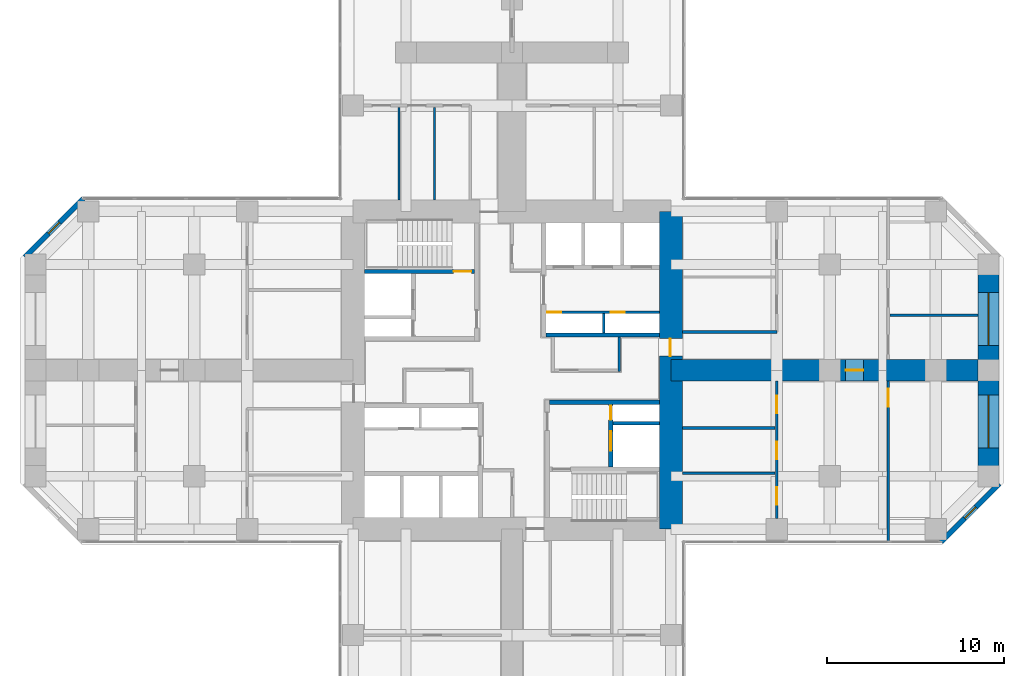
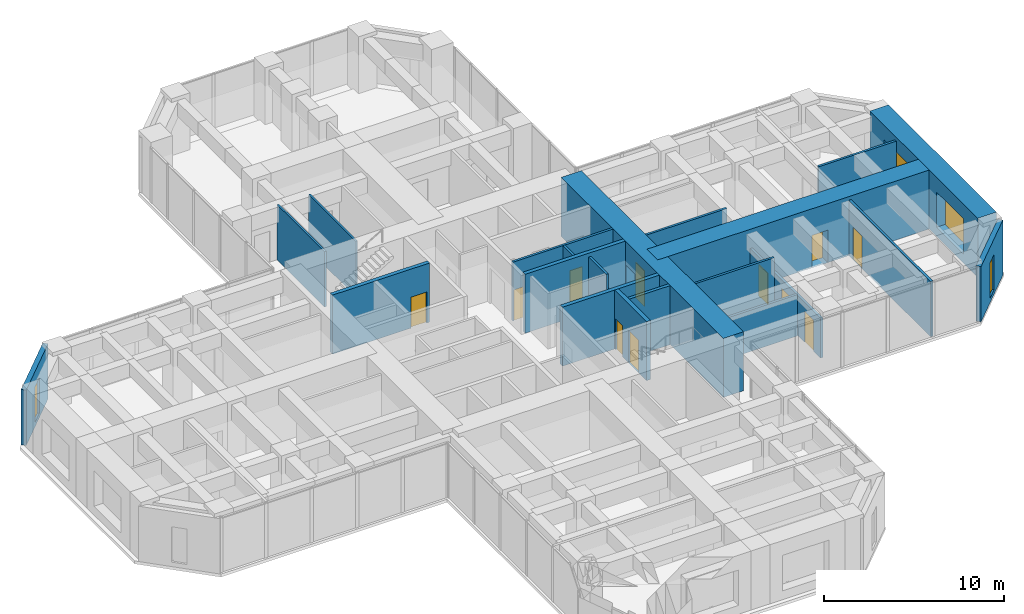
# One storey, part 10 of 13: 21 walls, 11 doors, 4 windows, 15 openings.
"""IFC4 building model written with IfcOpenShell, lengths in metres."""

from ifc_helpers import new_model, si_unit, direction, frame, frame_2d, origin, place, context, subcontext, project, spatial, rectangle, hollow_rectangle, extrude, material, layer, layer_set, constituent, constituent_set, type_object, element, fill, save


model = new_model("IFC4")

# Units and contexts
model_context = context("Model", 3, precision=1e-05, world=origin(), true_north=direction((0.0, 1.0)))
body_context = subcontext(model_context, "Body", "Model", "MODEL_VIEW")
ifc_project = project(units=[si_unit("LENGTHUNIT", "METRE"), si_unit("AREAUNIT", "SQUARE_METRE"), si_unit("VOLUMEUNIT", "CUBIC_METRE"), si_unit("PLANEANGLEUNIT", "RADIAN"), si_unit("MASSUNIT", "GRAM", prefix="KILO")], contexts=[model_context])

# Site, building, storey
site_placement = place(None, origin())
site = spatial("IfcSite", under=ifc_project, at=site_placement, CompositionType="ELEMENT")
building_placement = place(site_placement, origin())
building = spatial("IfcBuilding", under=site, at=building_placement, Name="Torre Cruceta", CompositionType="ELEMENT")
storey_placement = place(building_placement, frame((0.0, 0.0, 91.5)))
storey = spatial("IfcBuildingStorey", under=building, at=storey_placement, Name="L22", CompositionType="ELEMENT", Elevation=91.5)

# Wall
ifc_material_1 = material(Name="Concrete G60 (fck 60 MPa)", Category="concrete")
ifc_layer_1 = layer(ifc_material_1, 0.25)
ifc_layer_set_1 = layer_set([ifc_layer_1], Name="Concrete G60 (fck 60 MPa)")
wall_type_1 = type_object("IfcWallType", Name="CORE INNER WALL 250 G60", PredefinedType="SHEAR", material=ifc_layer_set_1)
wall_1_placement = place(storey_placement, frame((1.925048828125, 2.0, 0.0), z_axis=(0.0, 0.0, 1.0), x_axis=(1.0, 0.0, 0.0)))
element("IfcWall", 1, at=wall_1_placement, inside=storey, type_object=wall_type_1, Name="CW4 L22 NE-CV", PredefinedType="SHEAR", context=body_context, shape_type="SweptSolid", body=[
    extrude(rectangle(XDim=6.425048828125, YDim=0.25, at=frame_2d((3.21240234375, 0.0))), origin(), (0.0, 0.0, 1.0), 4.0),
])

# Wall, opening, door
wall_2_placement = place(storey_placement, frame((-2.125, 5.60009765625, 0.0), z_axis=(0.0, 0.0, 1.0), x_axis=(-1.0, 0.0, 0.0)))
wall_2 = element("IfcWall", 2, at=wall_2_placement, inside=storey, type_object=wall_type_1, Name="CW4 L22 NW-SV", PredefinedType="SHEAR", context=body_context, shape_type="SweptSolid", body=[
    extrude(rectangle(XDim=6.22509765625, YDim=0.25, at=frame_2d((3.112548828125, 0.0))), origin(), (0.0, 0.0, 1.0), 4.0),
])
opening_1_placement = place(wall_2_placement, frame((0.175048828125, 0.0, 0.0)))
opening_1 = element("IfcOpeningElement", 3, at=opening_1_placement, cuts=wall_2, Name="Opening D3", PredefinedType="OPENING", context=body_context, shape_type="SweptSolid", body=[
    extrude(rectangle(XDim=1.0, YDim=2.10009765625, at=frame_2d((0.5, 1.050048828125))), frame((0.0, 0.135009765625, 0.0), z_axis=(0.0, -1.0, 0.0), x_axis=(1.0, 0.0, 0.0)), (0.0, 0.0, 1.0), 0.27001953125),
])
ifc_material_2 = material(Name="Steel DX51D", Category="steel")
ifc_constituent_1 = constituent(ifc_material_2, Name="Leaf and frame")
ifc_material_3 = material(Name="Polyester powder coating", Category="paint")
ifc_constituent_2 = constituent(ifc_material_3, Name="Finish")
ifc_constituent_set_1 = constituent_set(constituents=[ifc_constituent_1, ifc_constituent_2], Name="Steel fire door")
door_type_1 = type_object("IfcDoorType", Name="FIRE DOOR 1000X2100", OperationType="SINGLE_SWING_LEFT", PredefinedType="DOOR", material=ifc_constituent_set_1)
door_1_placement = place(opening_1_placement, frame((1.0, 0.0, 0.0), z_axis=(0.0, 0.0, 1.0), x_axis=(-1.0, 0.0, 0.0)))
door_1 = element("IfcDoor", 4, at=door_1_placement, inside=storey, type_object=door_type_1, Name="D3 L22 NW-STAIR", OperationType="SINGLE_SWING_RIGHT", OverallHeight=2.10009765625, OverallWidth=1.0, PredefinedType="DOOR", context=body_context, shape_type="SweptSolid", body=[
    extrude(rectangle(XDim=1.0, YDim=2.10009765625, at=frame_2d((0.5, 1.050048828125))), frame((0.0, 0.025146484375, 0.0), z_axis=(0.0, -1.0, 0.0), x_axis=(1.0, 0.0, 0.0)), (0.0, 0.0, 1.0), 0.050048828125),
])
fill(opening_1, door_1)

# Wall
wall_3_placement = place(storey_placement, frame((2.125, -1.800048828125, 0.0), z_axis=(0.0, 0.0, 1.0), x_axis=(1.0, 0.0, 0.0)))
element("IfcWall", 5, at=wall_3_placement, inside=storey, type_object=wall_type_1, Name="CW4 L22 SE-CV", PredefinedType="SHEAR", context=body_context, shape_type="SweptSolid", body=[
    extrude(rectangle(XDim=6.22509765625, YDim=0.25, at=frame_2d((3.112548828125, 0.0))), origin(), (0.0, 0.0, 1.0), 4.0),
])

# Wall, openings, doors
wall_4_placement = place(storey_placement, frame((5.60009765625, -1.925048828125, 0.0), z_axis=(0.0, 0.0, 1.0), x_axis=(0.0, -1.0, 0.0)))
wall_4 = element("IfcWall", 6, at=wall_4_placement, inside=storey, type_object=wall_type_1, Name="CW4 L22 SE-FU", PredefinedType="SHEAR", context=body_context, shape_type="SweptSolid", body=[
    extrude(rectangle(XDim=3.550048828125, YDim=0.25, at=frame_2d((1.77490234375, 0.0))), origin(), (0.0, 0.0, 1.0), 4.0),
])
opening_2_placement = place(wall_4_placement, frame((1.52490234375, 0.0, 0.0)))
opening_2 = element("IfcOpeningElement", 7, at=opening_2_placement, cuts=wall_4, Name="Opening LD1", PredefinedType="OPENING", context=body_context, shape_type="SweptSolid", body=[
    extrude(rectangle(XDim=1.10009765625, YDim=2.199951171875, at=frame_2d((0.550048828125, 1.10009765625))), frame((0.0, 0.135009765625, 0.0), z_axis=(0.0, -1.0, 0.0), x_axis=(1.0, 0.0, 0.0)), (0.0, 0.0, 1.0), 0.27001953125),
])
opening_3_placement = place(wall_4_placement, frame((0.074951171875, 0.0, 0.0)))
opening_3 = element("IfcOpeningElement", 8, at=opening_3_placement, cuts=wall_4, Name="Opening D5", PredefinedType="OPENING", context=body_context, shape_type="SweptSolid", body=[
    extrude(rectangle(XDim=0.800048828125, YDim=2.10009765625, at=frame_2d((0.39990234375, 1.050048828125))), frame((0.0, 0.135009765625, 0.0), z_axis=(0.0, -1.0, 0.0), x_axis=(1.0, 0.0, 0.0)), (0.0, 0.0, 1.0), 0.27001953125),
])
ifc_material_4 = material(Name="Stainless steel 1.4401", Category="steel")
door_type_2 = type_object("IfcDoorType", Name="LIFT LANDING DOOR 1100X2200", OperationType="DOUBLE_DOOR_SLIDING", PredefinedType="DOOR", material=ifc_material_4)
door_2_placement = place(opening_2_placement, origin())
door_2 = element("IfcDoor", 9, at=door_2_placement, inside=storey, type_object=door_type_2, Name="Lift landing door FL2", OperationType="DOUBLE_DOOR_SLIDING", OverallHeight=2.199951171875, OverallWidth=1.10009765625, PredefinedType="DOOR", context=body_context, shape_type="SweptSolid", body=[
    extrude(rectangle(XDim=1.10009765625, YDim=2.199951171875, at=frame_2d((0.550048828125, 1.10009765625))), frame((0.0, 0.02490234375, 0.0), z_axis=(0.0, -1.0, 0.0), x_axis=(1.0, 0.0, 0.0)), (0.0, 0.0, 1.0), 0.050048828125),
])
fill(opening_2, door_2)
ifc_material_5 = material(Name="Steel DX51D", Category="steel")
ifc_constituent_3 = constituent(ifc_material_5, Name="Leaf and frame")
ifc_material_6 = material(Name="Polyester powder coating", Category="paint")
ifc_constituent_4 = constituent(ifc_material_6, Name="Finish")
ifc_constituent_set_2 = constituent_set(constituents=[ifc_constituent_3, ifc_constituent_4], Name="Steel fire door")
door_type_3 = type_object("IfcDoorType", Name="RISER ACCESS DOOR 800X2100", OperationType="SINGLE_SWING_LEFT", PredefinedType="DOOR", material=ifc_constituent_set_2)
door_3_placement = place(opening_3_placement, origin())
door_3 = element("IfcDoor", 10, at=door_3_placement, inside=storey, type_object=door_type_3, Name="D5 L22 SE-RISER", OperationType="SINGLE_SWING_LEFT", OverallHeight=2.10009765625, OverallWidth=0.800048828125, PredefinedType="DOOR", context=body_context, shape_type="SweptSolid", body=[
    extrude(rectangle(XDim=0.800048828125, YDim=2.10009765625, at=frame_2d((0.39990234375, 1.050048828125))), frame((0.0, 0.02490234375, 0.0), z_axis=(0.0, -1.0, 0.0), x_axis=(1.0, 0.0, 0.0)), (0.0, 0.0, 1.0), 0.050048828125),
])
fill(opening_3, door_3)

# Wall, opening, door
ifc_material_7 = material(Name="Concrete G60 (fck 60 MPa)", Category="concrete")
ifc_layer_2 = layer(ifc_material_7, 1.300048828125)
ifc_layer_set_2 = layer_set([ifc_layer_2], Name="Concrete G60 (fck 60 MPa)")
wall_type_2 = type_object("IfcWallType", Name="CORE WALL 1300 G60", PredefinedType="SHEAR", material=ifc_layer_set_2)
wall_5_placement = place(storey_placement, frame((9.0, -9.0, 0.0), z_axis=(0.0, 0.0, 1.0), x_axis=(0.0, 1.0, 0.0)))
wall_5 = element("IfcWall", 11, at=wall_5_placement, inside=storey, type_object=wall_type_2, Name="CW1 L22 CW-E", PredefinedType="SHEAR", context=body_context, shape_type="SweptSolid", body=[
    extrude(rectangle(XDim=18.0, YDim=1.300048828125, at=frame_2d((9.0, 0.0))), origin(), (0.0, 0.0, 1.0), 4.0),
])
opening_4_placement = place(wall_5_placement, frame((9.800048828125, 0.0, 0.0)))
opening_4 = element("IfcOpeningElement", 12, at=opening_4_placement, cuts=wall_5, Name="Opening D4", PredefinedType="OPENING", context=body_context, shape_type="SweptSolid", body=[
    extrude(rectangle(XDim=1.0, YDim=2.39990234375, at=frame_2d((0.5, 1.199951171875))), frame((0.0, 0.659912109375, 0.0), z_axis=(0.0, -1.0, 0.0), x_axis=(1.0, 0.0, 0.0)), (0.0, 0.0, 1.0), 1.320068359375),
])
ifc_material_8 = material(Name="Steel DX51D", Category="steel")
ifc_constituent_5 = constituent(ifc_material_8, Name="Leaf and frame")
ifc_material_9 = material(Name="Polyester powder coating", Category="paint")
ifc_constituent_6 = constituent(ifc_material_9, Name="Finish")
ifc_constituent_set_3 = constituent_set(constituents=[ifc_constituent_5, ifc_constituent_6], Name="Steel fire door")
door_type_4 = type_object("IfcDoorType", Name="CORE ARM DOOR 1000X2400", OperationType="SINGLE_SWING_RIGHT", PredefinedType="DOOR", material=ifc_constituent_set_3)
door_4_placement = place(opening_4_placement, frame((1.0, 0.0, 0.0), z_axis=(0.0, 0.0, 1.0), x_axis=(-1.0, 0.0, 0.0)))
door_4 = element("IfcDoor", 13, at=door_4_placement, inside=storey, type_object=door_type_4, Name="D4 L22 CW-E", OperationType="SINGLE_SWING_RIGHT", OverallHeight=2.39990234375, OverallWidth=1.0, PredefinedType="DOOR", context=body_context, shape_type="SweptSolid", body=[
    extrude(rectangle(XDim=1.0, YDim=2.39990234375, at=frame_2d((0.5, 1.199951171875))), frame((0.0, -0.005126953125, 0.0), z_axis=(0.0, -1.0, 0.0), x_axis=(1.0, 0.0, 0.0)), (0.0, 0.0, 1.0), 0.050048828125),
])
fill(opening_4, door_4)

# Wall, opening, window
ifc_material_10 = material(Name="Concrete G30 (fck 30 MPa)", Category="concrete")
ifc_layer_3 = layer(ifc_material_10, 0.300048828125)
ifc_layer_set_3 = layer_set([ifc_layer_3], Name="Concrete G30 (fck 30 MPa)")
wall_type_3 = type_object("IfcWallType", Name="EXPOSED CONCRETE FACADE WALL 300", PredefinedType="SOLIDWALL", material=ifc_layer_set_3)
wall_6_placement = place(storey_placement, frame((24.29833984375, -9.719970703125, 0.0), z_axis=(0.0, 0.0, 1.0), x_axis=(0.707106781187, 0.707106781187, 0.0)))
wall_6 = element("IfcWall", 14, at=wall_6_placement, inside=storey, type_object=wall_type_3, Name="EW1 facade wall L22 E chamfer 01", PredefinedType="SOLIDWALL", context=body_context, shape_type="SweptSolid", body=[
    extrude(rectangle(XDim=4.66943359375, YDim=0.300048828125, at=frame_2d((2.334716796875, 0.0))), origin(), (0.0, 0.0, 1.0), 3.75),
])
opening_5_placement = place(wall_6_placement, frame((1.884765625, 0.0, 0.300048828125)))
opening_5 = element("IfcOpeningElement", 15, at=opening_5_placement, cuts=wall_6, Name="Opening WN5", PredefinedType="OPENING", context=body_context, shape_type="SweptSolid", body=[
    extrude(rectangle(XDim=0.89990234375, YDim=2.39990234375, at=frame_2d((0.449951171875, 1.199951171875))), frame((0.0, 0.159912109375, 0.0), z_axis=(0.0, -1.0, 0.0), x_axis=(1.0, 0.0, 0.0)), (0.0, 0.0, 1.0), 0.320068359375),
])
ifc_material_11 = material(Name="Aluminium window frame", Category="aluminium")
ifc_constituent_7 = constituent(ifc_material_11, Name="Frame")
ifc_material_12 = material(Name="Laminated insulating glass unit, low-iron clear", Category="glass")
ifc_constituent_8 = constituent(ifc_material_12, Name="Glazing")
ifc_constituent_set_4 = constituent_set(constituents=[ifc_constituent_7, ifc_constituent_8], Name="Aluminium window")
window_type_1 = type_object("IfcWindowType", Name="CHAMFER SLOT WINDOW 900X2400", PartitioningType="SINGLE_PANEL", PredefinedType="WINDOW", material=ifc_constituent_set_4)
window_1_placement = place(opening_5_placement, origin())
window_1 = element("IfcWindow", 16, at=window_1_placement, inside=storey, type_object=window_type_1, Name="WN5 L22 E 1", OverallHeight=2.39990234375, OverallWidth=0.89990234375, PartitioningType="SINGLE_PANEL", PredefinedType="WINDOW", context=body_context, shape_type="SweptSolid", body=[
    extrude(hollow_rectangle(XDim=0.89990234375, YDim=2.39990234375, WallThickness=0.06005859375, at=frame_2d((0.449951171875, 1.199951171875))), frame((0.0, 0.030029296875, 0.0), z_axis=(0.0, -1.0, 0.0), x_axis=(1.0, 0.0, 0.0)), (0.0, 0.0, 1.0), 0.06005859375),
    extrude(rectangle(XDim=0.77880859375, YDim=2.27880859375, at=frame_2d((0.449951171875, 1.199951171875))), frame((0.0, 0.030029296875, 0.0), z_axis=(0.0, -1.0, 0.0), x_axis=(1.0, 0.0, 0.0)), (0.0, 0.0, 1.0), 0.06005859375),
])
fill(opening_5, window_1)

wall_7_placement = place(storey_placement, frame((-24.29833984375, 9.719970703125, 0.0), z_axis=(0.0, 0.0, 1.0), x_axis=(-0.707106781187, -0.707106781187, 0.0)))
wall_7 = element("IfcWall", 17, at=wall_7_placement, inside=storey, type_object=wall_type_3, Name="EW1 facade wall L22 W chamfer 11", PredefinedType="SOLIDWALL", context=body_context, shape_type="SweptSolid", body=[
    extrude(rectangle(XDim=4.66943359375, YDim=0.300048828125, at=frame_2d((2.334716796875, 0.0))), origin(), (0.0, 0.0, 1.0), 3.75),
])
opening_6_placement = place(wall_7_placement, frame((1.884765625, 0.0, 0.300048828125)))
opening_6 = element("IfcOpeningElement", 18, at=opening_6_placement, cuts=wall_7, Name="Opening WN5", PredefinedType="OPENING", context=body_context, shape_type="SweptSolid", body=[
    extrude(rectangle(XDim=0.89990234375, YDim=2.39990234375, at=frame_2d((0.449951171875, 1.199951171875))), frame((0.0, 0.159912109375, 0.0), z_axis=(0.0, -1.0, 0.0), x_axis=(1.0, 0.0, 0.0)), (0.0, 0.0, 1.0), 0.320068359375),
])
window_2_placement = place(opening_6_placement, origin())
window_2 = element("IfcWindow", 19, at=window_2_placement, inside=storey, type_object=window_type_1, Name="WN5 L22 W 1", OverallHeight=2.39990234375, OverallWidth=0.89990234375, PartitioningType="SINGLE_PANEL", PredefinedType="WINDOW", context=body_context, shape_type="SweptSolid", body=[
    extrude(hollow_rectangle(XDim=0.89990234375, YDim=2.39990234375, WallThickness=0.06005859375, at=frame_2d((0.449951171875, 1.199951171875))), frame((0.0, 0.030029296875, 0.0), z_axis=(0.0, -1.0, 0.0), x_axis=(1.0, 0.0, 0.0)), (0.0, 0.0, 1.0), 0.06005859375),
    extrude(rectangle(XDim=0.77880859375, YDim=2.27880859375, at=frame_2d((0.449951171875, 1.199951171875))), frame((0.0, 0.030029296875, 0.0), z_axis=(0.0, -1.0, 0.0), x_axis=(1.0, 0.0, 0.0)), (0.0, 0.0, 1.0), 0.06005859375),
])
fill(opening_6, window_2)

# Wall
ifc_material_13 = material(Name="Concrete G35 (fck 35 MPa)", Category="concrete")
ifc_layer_4 = layer(ifc_material_13, 0.199951171875)
ifc_layer_set_4 = layer_set([ifc_layer_4], Name="Concrete G35 (fck 35 MPa)")
wall_type_4 = type_object("IfcWallType", Name="LIFT SHAFT WALL 200", PredefinedType="PARTITIONING", material=ifc_layer_set_4)
wall_8_placement = place(storey_placement, frame((5.72509765625, -3.0, 0.0), z_axis=(0.0, 0.0, 1.0), x_axis=(1.0, 0.0, 0.0)))
element("IfcWall", 20, at=wall_8_placement, inside=storey, type_object=wall_type_4, Name="SW1 L22 SE-FR", PredefinedType="PARTITIONING", context=body_context, shape_type="SweptSolid", body=[
    extrude(rectangle(XDim=2.625, YDim=0.199951171875, at=frame_2d((1.3125, 0.0))), origin(), (0.0, 0.0, 1.0), 4.0),
])

# Wall, openings, windows
ifc_material_14 = material(Name="Concrete G60 (fck 60 MPa)", Category="concrete")
ifc_layer_5 = layer(ifc_material_14, 1.199951171875)
ifc_layer_set_5 = layer_set([ifc_layer_5], Name="Concrete G60 (fck 60 MPa)")
wall_type_5 = type_object("IfcWallType", Name="NOSE WALL 1200 G60", PredefinedType="SHEAR", material=ifc_layer_set_5)
wall_9_placement = place(storey_placement, frame((27.0, -6.0, 0.0), z_axis=(0.0, 0.0, 1.0), x_axis=(0.0, 1.0, 0.0)))
wall_9 = element("IfcWall", 21, at=wall_9_placement, inside=storey, type_object=wall_type_5, Name="NW1 nose wall L22 E", PredefinedType="SHEAR", context=body_context, shape_type="SweptSolid", body=[
    extrude(rectangle(XDim=12.0, YDim=1.199951171875, at=frame_2d((6.0, 0.0))), origin(), (0.0, 0.0, 1.0), 4.0),
])
opening_7_placement = place(wall_9_placement, frame((1.60009765625, 0.0, 0.60009765625)))
opening_7 = element("IfcOpeningElement", 22, at=opening_7_placement, cuts=wall_9, Name="Opening WN6", PredefinedType="OPENING", context=body_context, shape_type="SweptSolid", body=[
    extrude(rectangle(XDim=3.0, YDim=2.39990234375, at=frame_2d((1.5, 1.199951171875))), frame((0.0, 0.60986328125, 0.0), z_axis=(0.0, -1.0, 0.0), x_axis=(1.0, 0.0, 0.0)), (0.0, 0.0, 1.0), 1.219970703125),
])
opening_8_placement = place(wall_9_placement, frame((7.39990234375, 0.0, 0.60009765625)))
opening_8 = element("IfcOpeningElement", 23, at=opening_8_placement, cuts=wall_9, Name="Opening WN6", PredefinedType="OPENING", context=body_context, shape_type="SweptSolid", body=[
    extrude(rectangle(XDim=3.0, YDim=2.39990234375, at=frame_2d((1.5, 1.199951171875))), frame((0.0, 0.60986328125, 0.0), z_axis=(0.0, -1.0, 0.0), x_axis=(1.0, 0.0, 0.0)), (0.0, 0.0, 1.0), 1.219970703125),
])
ifc_material_15 = material(Name="Aluminium window frame", Category="aluminium")
ifc_constituent_9 = constituent(ifc_material_15, Name="Frame")
ifc_material_16 = material(Name="Laminated insulating glass unit, low-iron clear", Category="glass")
ifc_constituent_10 = constituent(ifc_material_16, Name="Glazing")
ifc_constituent_set_5 = constituent_set(constituents=[ifc_constituent_9, ifc_constituent_10], Name="Aluminium window")
window_type_2 = type_object("IfcWindowType", Name="NOSE WALL WINDOW 3000X2400", PartitioningType="SINGLE_PANEL", PredefinedType="WINDOW", material=ifc_constituent_set_5)
window_3_placement = place(opening_7_placement, origin())
window_3 = element("IfcWindow", 24, at=window_3_placement, inside=storey, type_object=window_type_2, Name="WN6 L22 E 1", OverallHeight=2.39990234375, OverallWidth=3.0, PartitioningType="SINGLE_PANEL", PredefinedType="WINDOW", context=body_context, shape_type="SweptSolid", body=[
    extrude(hollow_rectangle(XDim=3.0, YDim=2.39990234375, WallThickness=0.06005859375, at=frame_2d((1.5, 1.199951171875))), frame((0.0, 0.030029296875, 0.0), z_axis=(0.0, -1.0, 0.0), x_axis=(1.0, 0.0, 0.0)), (0.0, 0.0, 1.0), 0.06005859375),
    extrude(rectangle(XDim=2.87890625, YDim=2.27880859375, at=frame_2d((1.5, 1.199951171875))), frame((0.0, 0.030029296875, 0.0), z_axis=(0.0, -1.0, 0.0), x_axis=(1.0, 0.0, 0.0)), (0.0, 0.0, 1.0), 0.06005859375),
])
fill(opening_7, window_3)
window_4_placement = place(opening_8_placement, origin())
window_4 = element("IfcWindow", 25, at=window_4_placement, inside=storey, type_object=window_type_2, Name="WN6 L22 E 2", OverallHeight=2.39990234375, OverallWidth=3.0, PartitioningType="SINGLE_PANEL", PredefinedType="WINDOW", context=body_context, shape_type="SweptSolid", body=[
    extrude(hollow_rectangle(XDim=3.0, YDim=2.39990234375, WallThickness=0.06005859375, at=frame_2d((1.5, 1.199951171875))), frame((0.0, 0.030029296875, 0.0), z_axis=(0.0, -1.0, 0.0), x_axis=(1.0, 0.0, 0.0)), (0.0, 0.0, 1.0), 0.06005859375),
    extrude(rectangle(XDim=2.87890625, YDim=2.27880859375, at=frame_2d((1.5, 1.199951171875))), frame((0.0, 0.030029296875, 0.0), z_axis=(0.0, -1.0, 0.0), x_axis=(1.0, 0.0, 0.0)), (0.0, 0.0, 1.0), 0.06005859375),
])
fill(opening_8, window_4)

# Walls
ifc_material_17 = material(Name="Plasterboard on steel studs", Category="steel")
ifc_layer_6 = layer(ifc_material_17, 0.14990234375)
ifc_layer_set_6 = layer_set([ifc_layer_6], Name="Plasterboard on steel studs")
wall_type_6 = type_object("IfcWallType", Name="PARTITION 150", PredefinedType="PARTITIONING", material=ifc_layer_set_6)
wall_10_placement = place(storey_placement, frame((6.074951171875, -0.074951171875, 0.0), z_axis=(0.0, 0.0, 1.0), x_axis=(0.0, 1.0, 0.0)))
element("IfcWall", 26, at=wall_10_placement, inside=storey, type_object=wall_type_6, Name="PT1 L22-CORE-LEGE-N-W3", PredefinedType="PARTITIONING", context=body_context, shape_type="SweptSolid", body=[
    extrude(rectangle(XDim=1.949951171875, YDim=0.14990234375, at=frame_2d((0.97509765625, 0.0))), origin(), (0.0, 0.0, 1.0), 3.75),
])
wall_11_placement = place(storey_placement, frame((9.64990234375, 2.175048828125, 0.0), z_axis=(0.0, 0.0, 1.0), x_axis=(1.0, 0.0, 0.0)))
element("IfcWall", 27, at=wall_11_placement, inside=storey, type_object=wall_type_6, Name="PT1 L22-E-BSL", PredefinedType="PARTITIONING", context=body_context, shape_type="SweptSolid", body=[
    extrude(rectangle(XDim=5.35009765625, YDim=0.14990234375, at=frame_2d((2.675048828125, 0.0))), origin(), (0.0, 0.0, 1.0), 3.75),
])

# Wall, openings, doors
wall_12_placement = place(storey_placement, frame((15.0, -8.39990234375, 0.0), z_axis=(0.0, 0.0, 1.0), x_axis=(0.0, 1.0, 0.0)))
wall_12 = element("IfcWall", 28, at=wall_12_placement, inside=storey, type_object=wall_type_6, Name="PT1 L22-E-BFR", PredefinedType="PARTITIONING", context=body_context, shape_type="SweptSolid", body=[
    extrude(rectangle(XDim=7.7998046875, YDim=0.14990234375, at=frame_2d((3.89990234375, 0.0))), origin(), (0.0, 0.0, 1.0), 2.699951171875),
])
opening_9_placement = place(wall_12_placement, frame((0.783203125, 0.0, 0.0)))
opening_9 = element("IfcOpeningElement", 29, at=opening_9_placement, cuts=wall_12, Name="Opening D3", PredefinedType="OPENING", context=body_context, shape_type="SweptSolid", body=[
    extrude(rectangle(XDim=1.0, YDim=2.10009765625, at=frame_2d((0.5, 1.050048828125))), frame((0.0, 0.0849609375, 0.0), z_axis=(0.0, -1.0, 0.0), x_axis=(1.0, 0.0, 0.0)), (0.0, 0.0, 1.0), 0.169921875),
])
opening_10_placement = place(wall_12_placement, frame((3.35009765625, 0.0, 0.0)))
opening_10 = element("IfcOpeningElement", 30, at=opening_10_placement, cuts=wall_12, Name="Opening D3", PredefinedType="OPENING", context=body_context, shape_type="SweptSolid", body=[
    extrude(rectangle(XDim=1.0, YDim=2.10009765625, at=frame_2d((0.5, 1.050048828125))), frame((0.0, 0.0849609375, 0.0), z_axis=(0.0, -1.0, 0.0), x_axis=(1.0, 0.0, 0.0)), (0.0, 0.0, 1.0), 0.169921875),
])
opening_11_placement = place(wall_12_placement, frame((5.966796875, 0.0, 0.0)))
opening_11 = element("IfcOpeningElement", 31, at=opening_11_placement, cuts=wall_12, Name="Opening D3", PredefinedType="OPENING", context=body_context, shape_type="SweptSolid", body=[
    extrude(rectangle(XDim=1.0, YDim=2.10009765625, at=frame_2d((0.5, 1.050048828125))), frame((0.0, 0.0849609375, 0.0), z_axis=(0.0, -1.0, 0.0), x_axis=(1.0, 0.0, 0.0)), (0.0, 0.0, 1.0), 0.169921875),
])
door_5_placement = place(opening_9_placement, origin())
door_5 = element("IfcDoor", 32, at=door_5_placement, inside=storey, type_object=door_type_1, Name="D3 L22-E-BFR-D1", OperationType="SINGLE_SWING_RIGHT", OverallHeight=2.10009765625, OverallWidth=1.0, PredefinedType="DOOR", context=body_context, shape_type="SweptSolid", body=[
    extrude(rectangle(XDim=1.0, YDim=2.10009765625, at=frame_2d((0.5, 1.050048828125))), frame((0.0, 0.02490234375, 0.0), z_axis=(0.0, -1.0, 0.0), x_axis=(1.0, 0.0, 0.0)), (0.0, 0.0, 1.0), 0.050048828125),
])
fill(opening_9, door_5)
door_6_placement = place(opening_10_placement, origin())
door_6 = element("IfcDoor", 33, at=door_6_placement, inside=storey, type_object=door_type_1, Name="D3 L22-E-BFR-D2", OperationType="SINGLE_SWING_LEFT", OverallHeight=2.10009765625, OverallWidth=1.0, PredefinedType="DOOR", context=body_context, shape_type="SweptSolid", body=[
    extrude(rectangle(XDim=1.0, YDim=2.10009765625, at=frame_2d((0.5, 1.050048828125))), frame((0.0, 0.02490234375, 0.0), z_axis=(0.0, -1.0, 0.0), x_axis=(1.0, 0.0, 0.0)), (0.0, 0.0, 1.0), 0.050048828125),
])
fill(opening_10, door_6)
door_7_placement = place(opening_11_placement, origin())
door_7 = element("IfcDoor", 34, at=door_7_placement, inside=storey, type_object=door_type_1, Name="D3 L22-E-BFR-D3", OperationType="SINGLE_SWING_LEFT", OverallHeight=2.10009765625, OverallWidth=1.0, PredefinedType="DOOR", context=body_context, shape_type="SweptSolid", body=[
    extrude(rectangle(XDim=1.0, YDim=2.10009765625, at=frame_2d((0.5, 1.050048828125))), frame((0.0, 0.02490234375, 0.0), z_axis=(0.0, -1.0, 0.0), x_axis=(1.0, 0.0, 0.0)), (0.0, 0.0, 1.0), 0.050048828125),
])
fill(opening_11, door_7)

# Walls
wall_13_placement = place(storey_placement, frame((9.64990234375, -3.2666015625, 0.0), z_axis=(0.0, 0.0, 1.0), x_axis=(1.0, 0.0, 0.0)))
element("IfcWall", 35, at=wall_13_placement, inside=storey, type_object=wall_type_6, Name="PT1 L22-E-BDR1", PredefinedType="PARTITIONING", context=body_context, shape_type="SweptSolid", body=[
    extrude(rectangle(XDim=5.25, YDim=0.14990234375, at=frame_2d((2.625, 0.0))), origin(), (0.0, 0.0, 1.0), 3.75),
])
wall_14_placement = place(storey_placement, frame((9.64990234375, -5.833251953125, 0.0), z_axis=(0.0, 0.0, 1.0), x_axis=(1.0, 0.0, 0.0)))
element("IfcWall", 36, at=wall_14_placement, inside=storey, type_object=wall_type_6, Name="PT1 L22-E-BDR2", PredefinedType="PARTITIONING", context=body_context, shape_type="SweptSolid", body=[
    extrude(rectangle(XDim=5.25, YDim=0.14990234375, at=frame_2d((2.625, 0.0))), origin(), (0.0, 0.0, 1.0), 2.800048828125),
])
wall_15_placement = place(storey_placement, frame((21.419921875, 3.117919921875, 0.0), z_axis=(0.0, 0.0, 1.0), x_axis=(1.0, 0.0, 0.0)))
element("IfcWall", 37, at=wall_15_placement, inside=storey, type_object=wall_type_6, Name="PT1 L22-E-TDL", PredefinedType="PARTITIONING", context=body_context, shape_type="SweptSolid", body=[
    extrude(rectangle(XDim=4.97998046875, YDim=0.14990234375, at=frame_2d((2.489990234375, 0.0))), origin(), (0.0, 0.0, 1.0), 3.75),
])

# Wall, opening, door
wall_16_placement = place(storey_placement, frame((21.320068359375, -9.679931640625, 0.0), z_axis=(0.0, 0.0, 1.0), x_axis=(0.0, 1.0, 0.0)))
wall_16 = element("IfcWall", 38, at=wall_16_placement, inside=storey, type_object=wall_type_6, Name="PT1 L22-E-TWR", PredefinedType="PARTITIONING", context=body_context, shape_type="SweptSolid", body=[
    extrude(rectangle(XDim=9.079833984375, YDim=0.14990234375, at=frame_2d((4.5400390625, 0.0))), origin(), (0.0, 0.0, 1.0), 3.75),
])
opening_12_placement = place(wall_16_placement, frame((7.6298828125, 0.0, 0.0)))
opening_12 = element("IfcOpeningElement", 39, at=opening_12_placement, cuts=wall_16, Name="Opening D14", PredefinedType="OPENING", context=body_context, shape_type="SweptSolid", body=[
    extrude(rectangle(XDim=1.0, YDim=2.199951171875, at=frame_2d((0.5, 1.10009765625))), frame((0.0, 0.0849609375, 0.0), z_axis=(0.0, -1.0, 0.0), x_axis=(1.0, 0.0, 0.0)), (0.0, 0.0, 1.0), 0.169921875),
])
ifc_material_18 = material(Name="Steel DX51D", Category="steel")
ifc_constituent_11 = constituent(ifc_material_18, Name="Leaf and frame")
ifc_material_19 = material(Name="Polyester powder coating", Category="paint")
ifc_constituent_12 = constituent(ifc_material_19, Name="Finish")
ifc_material_20 = material(Name="Fire-resisting glass", Category="glass")
ifc_constituent_13 = constituent(ifc_material_20, Name="Vision panel")
ifc_constituent_set_6 = constituent_set(constituents=[ifc_constituent_11, ifc_constituent_12, ifc_constituent_13], Name="Steel fire door with vision panel")
door_type_5 = type_object("IfcDoorType", Name="FIRE DOOR VISION PANEL 1000X2200", OperationType="SINGLE_SWING_RIGHT", PredefinedType="DOOR", material=ifc_constituent_set_6)
door_8_placement = place(opening_12_placement, frame((1.0, 0.0, 0.0), z_axis=(0.0, 0.0, 1.0), x_axis=(-1.0, 0.0, 0.0)))
door_8 = element("IfcDoor", 40, at=door_8_placement, inside=storey, type_object=door_type_5, Name="D14 L22-E-TWR-D1", OperationType="SINGLE_SWING_LEFT", OverallHeight=2.199951171875, OverallWidth=1.0, PredefinedType="DOOR", context=body_context, shape_type="SweptSolid", body=[
    extrude(rectangle(XDim=1.0, YDim=2.199951171875, at=frame_2d((0.5, 1.10009765625))), frame((0.0, 0.025146484375, 0.0), z_axis=(0.0, -1.0, 0.0), x_axis=(1.0, 0.0, 0.0)), (0.0, 0.0, 1.0), 0.050048828125),
])
fill(opening_12, door_8)

# Wall, openings, doors
ifc_material_21 = material(Name="Concrete block masonry", Category="masonry")
ifc_layer_7 = layer(ifc_material_21, 0.14990234375)
ifc_layer_set_7 = layer_set([ifc_layer_7], Name="Concrete block masonry")
wall_type_7 = type_object("IfcWallType", Name="RISER WALL 150", PredefinedType="PARTITIONING", material=ifc_layer_set_7)
wall_17_placement = place(storey_placement, frame((1.925048828125, 3.300048828125, 0.0), z_axis=(0.0, 0.0, 1.0), x_axis=(1.0, 0.0, 0.0)))
wall_17 = element("IfcWall", 41, at=wall_17_placement, inside=storey, type_object=wall_type_7, Name="SW7 L22 NE-RV", PredefinedType="PARTITIONING", context=body_context, shape_type="SweptSolid", body=[
    extrude(rectangle(XDim=6.425048828125, YDim=0.14990234375, at=frame_2d((3.21240234375, 0.0))), origin(), (0.0, 0.0, 1.0), 4.0),
])
opening_13_placement = place(wall_17_placement, frame((0.074951171875, 0.0, 0.0)))
opening_13 = element("IfcOpeningElement", 42, at=opening_13_placement, cuts=wall_17, Name="Opening D5", PredefinedType="OPENING", context=body_context, shape_type="SweptSolid", body=[
    extrude(rectangle(XDim=0.800048828125, YDim=2.10009765625, at=frame_2d((0.39990234375, 1.050048828125))), frame((0.0, 0.0849609375, 0.0), z_axis=(0.0, -1.0, 0.0), x_axis=(1.0, 0.0, 0.0)), (0.0, 0.0, 1.0), 0.169921875),
])
opening_14_placement = place(wall_17_placement, frame((3.675048828125, 0.0, 0.0)))
opening_14 = element("IfcOpeningElement", 43, at=opening_14_placement, cuts=wall_17, Name="Opening D5", PredefinedType="OPENING", context=body_context, shape_type="SweptSolid", body=[
    extrude(rectangle(XDim=0.800048828125, YDim=2.10009765625, at=frame_2d((0.39990234375, 1.050048828125))), frame((0.0, 0.0849609375, 0.0), z_axis=(0.0, -1.0, 0.0), x_axis=(1.0, 0.0, 0.0)), (0.0, 0.0, 1.0), 0.169921875),
])
door_9_placement = place(opening_13_placement, frame((0.800048828125, 0.0, 0.0), z_axis=(0.0, 0.0, 1.0), x_axis=(-1.0, 0.0, 0.0)))
door_9 = element("IfcDoor", 44, at=door_9_placement, inside=storey, type_object=door_type_3, Name="D5 L22 NE-RISER1", OperationType="SINGLE_SWING_RIGHT", OverallHeight=2.10009765625, OverallWidth=0.800048828125, PredefinedType="DOOR", context=body_context, shape_type="SweptSolid", body=[
    extrude(rectangle(XDim=0.800048828125, YDim=2.10009765625, at=frame_2d((0.400146484375, 1.050048828125))), frame((0.0, 0.025146484375, 0.0), z_axis=(0.0, -1.0, 0.0), x_axis=(1.0, 0.0, 0.0)), (0.0, 0.0, 1.0), 0.050048828125),
])
fill(opening_13, door_9)
door_10_placement = place(opening_14_placement, frame((0.800048828125, 0.0, 0.0), z_axis=(0.0, 0.0, 1.0), x_axis=(-1.0, 0.0, 0.0)))
door_10 = element("IfcDoor", 45, at=door_10_placement, inside=storey, type_object=door_type_3, Name="D5 L22 NE-RISER2", OperationType="SINGLE_SWING_RIGHT", OverallHeight=2.10009765625, OverallWidth=0.800048828125, PredefinedType="DOOR", context=body_context, shape_type="SweptSolid", body=[
    extrude(rectangle(XDim=0.800048828125, YDim=2.10009765625, at=frame_2d((0.400146484375, 1.050048828125))), frame((0.0, 0.025146484375, 0.0), z_axis=(0.0, -1.0, 0.0), x_axis=(1.0, 0.0, 0.0)), (0.0, 0.0, 1.0), 0.050048828125),
])
fill(opening_14, door_10)

# Wall
wall_18_placement = place(storey_placement, frame((5.199951171875, 2.125, 0.0), z_axis=(0.0, 0.0, 1.0), x_axis=(0.0, 1.0, 0.0)))
element("IfcWall", 46, at=wall_18_placement, inside=storey, type_object=wall_type_7, Name="SW7 L22 NE-RU", PredefinedType="PARTITIONING", context=body_context, shape_type="SweptSolid", body=[
    extrude(rectangle(XDim=1.10009765625, YDim=0.14990234375, at=frame_2d((0.550048828125, 0.0))), origin(), (0.0, 0.0, 1.0), 4.0),
])

# Wall, opening, door
ifc_material_22 = material(Name="Concrete G60 (fck 60 MPa)", Category="concrete")
ifc_layer_8 = layer(ifc_material_22, 1.199951171875)
ifc_layer_set_8 = layer_set([ifc_layer_8], Name="Concrete G60 (fck 60 MPa)")
wall_type_8 = type_object("IfcWallType", Name="SPINE WALL 1200 G60", PredefinedType="SHEAR", material=ifc_layer_set_8)
wall_19_placement = place(storey_placement, frame((9.0, 0.0, 0.0), z_axis=(0.0, 0.0, 1.0), x_axis=(1.0, 0.0, 0.0)))
wall_19 = element("IfcWall", 47, at=wall_19_placement, inside=storey, type_object=wall_type_8, Name="SW3 spine wall L22 E", PredefinedType="SHEAR", context=body_context, shape_type="SweptSolid", body=[
    extrude(rectangle(XDim=18.0, YDim=1.199951171875, at=frame_2d((9.0, 0.0))), origin(), (0.0, 0.0, 1.0), 4.0),
])
opening_15_placement = place(wall_19_placement, frame((9.89990234375, 0.0, 0.0)))
opening_15 = element("IfcOpeningElement", 48, at=opening_15_placement, cuts=wall_19, Name="Opening D14", PredefinedType="OPENING", context=body_context, shape_type="SweptSolid", body=[
    extrude(rectangle(XDim=1.0, YDim=2.199951171875, at=frame_2d((0.5, 1.10009765625))), frame((0.0, 0.60986328125, 0.0), z_axis=(0.0, -1.0, 0.0), x_axis=(1.0, 0.0, 0.0)), (0.0, 0.0, 1.0), 1.219970703125),
])
door_11_placement = place(opening_15_placement, frame((1.0, 0.0, 0.0), z_axis=(0.0, 0.0, 1.0), x_axis=(-1.0, 0.0, 0.0)))
door_11 = element("IfcDoor", 49, at=door_11_placement, inside=storey, type_object=door_type_5, Name="D14 L22-E-SP1", OperationType="SINGLE_SWING_LEFT", OverallHeight=2.199951171875, OverallWidth=1.0, PredefinedType="DOOR", context=body_context, shape_type="SweptSolid", body=[
    extrude(rectangle(XDim=1.0, YDim=2.199951171875, at=frame_2d((0.5, 1.10009765625))), frame((0.0, 0.025146484375, 0.0), z_axis=(0.0, -1.0, 0.0), x_axis=(1.0, 0.0, 0.0)), (0.0, 0.0, 1.0), 0.050048828125),
])
fill(opening_15, door_11)

# Walls
ifc_material_23 = material(Name="Plasterboard on steel studs", Category="steel")
ifc_layer_9 = layer(ifc_material_23, 0.1201171875)
ifc_layer_set_9 = layer_set([ifc_layer_9], Name="Plasterboard on steel studs")
wall_type_9 = type_object("IfcWallType", Name="WC PARTITION 120", PredefinedType="PLUMBINGWALL", material=ifc_layer_set_9)
for number, where, z_axis, x_axis, name in (
    (50, (-4.38330078125, 9.64990234375, 0.0), (0.0, 0.0, 1.0), (0.0, 1.0, 0.0), "PT5 L22-N-BDL1"),
    (51, (-6.3916015625, 9.64990234375, 0.0), (0.0, 0.0, 1.0), (0.0, 1.0, 0.0), "PT5 L22-N-BDL2"),
):
    element("IfcWall", number, at=place(storey_placement, frame(where, z_axis=z_axis, x_axis=x_axis)), inside=storey, type_object=wall_type_9, Name=name, PredefinedType="PLUMBINGWALL", context=body_context, shape_type="SweptSolid", body=[
        extrude(rectangle(XDim=5.25, YDim=0.1201171875, at=frame_2d((2.625, 0.0))), origin(), (0.0, 0.0, 1.0), 3.75),
    ])

save(model, "model.ifc")
